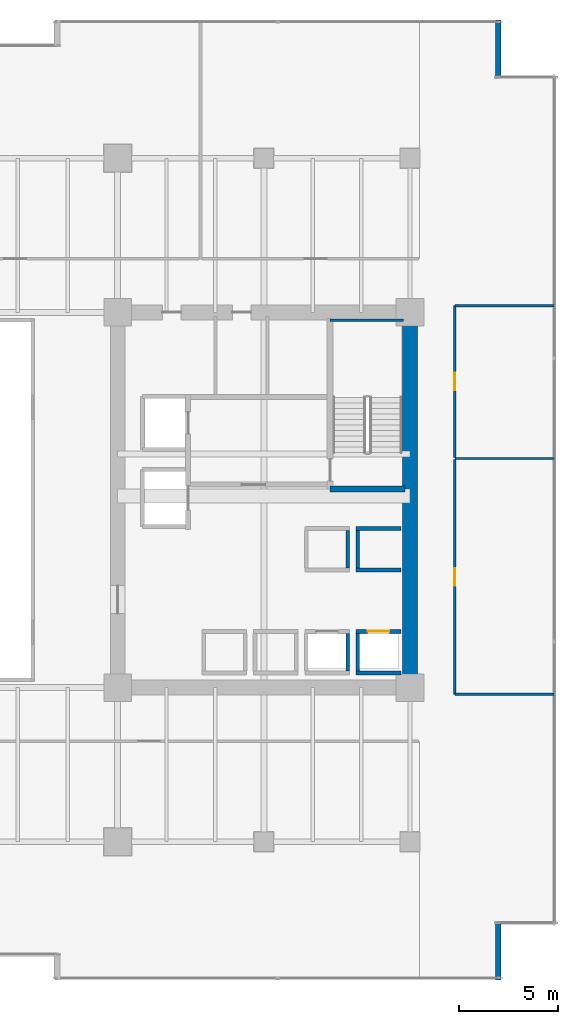
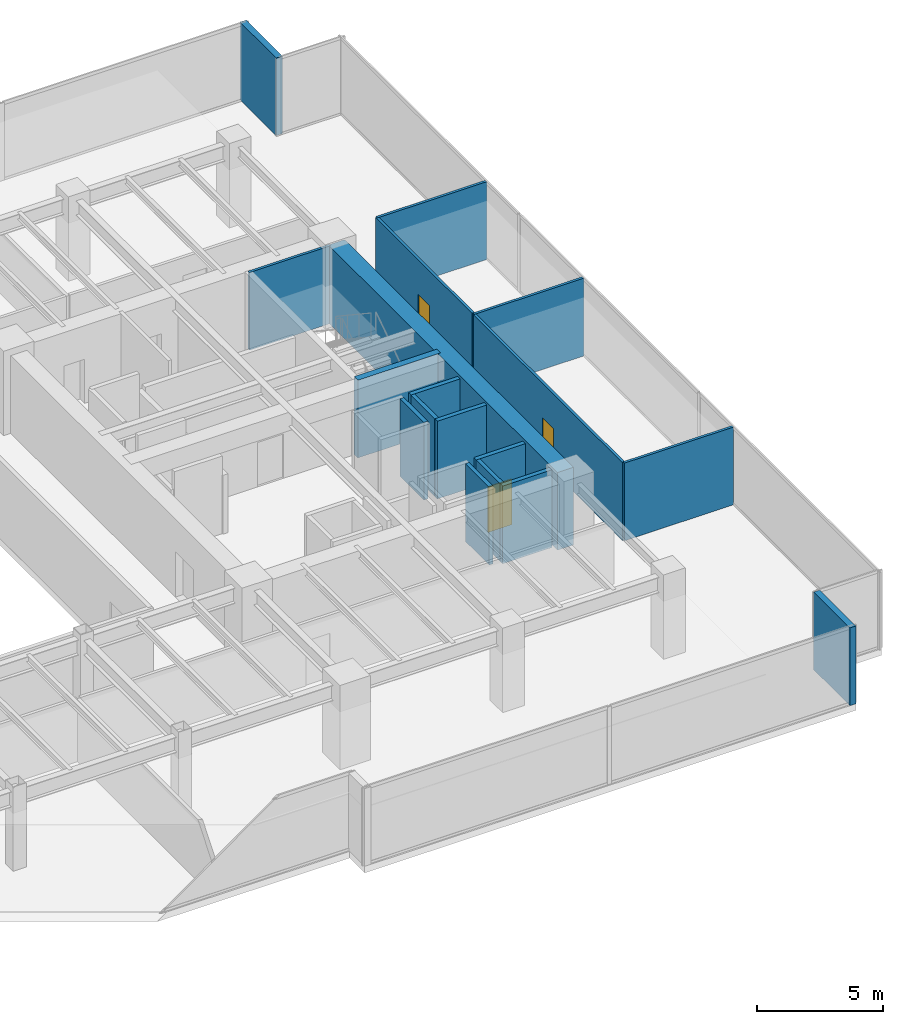
# One storey, part 32 of 36: 18 walls, 3 doors, 3 openings.
"""IFC4 building model written with IfcOpenShell, lengths in metres."""

from ifc_helpers import new_model, si_unit, direction, frame, frame_2d, origin, place, context, subcontext, project, spatial, rectangle, extrude, source, transform, mapped, material, layer, layer_set, type_object, type_shapes, element, fill, save


model = new_model("IFC4")

# Units and contexts
model_context = context("Model", 3, precision=1e-05, world=origin(), true_north=direction((0.0, 1.0)))
body_context = subcontext(model_context, "Body", "Model", "MODEL_VIEW")
ifc_project = project(units=[si_unit("LENGTHUNIT", "METRE"), si_unit("AREAUNIT", "SQUARE_METRE"), si_unit("VOLUMEUNIT", "CUBIC_METRE"), si_unit("PLANEANGLEUNIT", "RADIAN"), si_unit("MASSUNIT", "GRAM", prefix="KILO")], contexts=[model_context])

# Site, building, storey
site_placement = place(None, origin())
site = spatial("IfcSite", under=ifc_project, at=site_placement, CompositionType="ELEMENT")
building_placement = place(site_placement, origin())
building = spatial("IfcBuilding", under=site, at=building_placement, Name="Haelvirn Gate Laboratories", CompositionType="ELEMENT")
storey_placement = place(building_placement, frame((0.0, 0.0, 53.89990234375)))
storey = spatial("IfcBuildingStorey", under=building, at=storey_placement, Name="L13", CompositionType="ELEMENT", Elevation=53.89990234375)

# Walls
ifc_material_1 = material(Name="Thermally-broken bronze aluminium rainscreen & mineral wool", Category="aluminium")
ifc_layer_1 = layer(ifc_material_1, 0.280029296875, Name="EW-TERR-280")
ifc_layer_set_1 = layer_set([ifc_layer_1], Name="Thermally-broken bronze aluminium rainscreen & mineral wool")
wall_type_1 = type_object("IfcWallType", Name="EW-TERR-280", PredefinedType="STANDARD", material=ifc_layer_set_1)
wall_1_placement = place(storey_placement, frame((71.860107421875, 0.0, 0.0), z_axis=(0.0, 0.0, 1.0), x_axis=(0.0, 1.0, 0.0)))
element("IfcWall", 1, at=wall_1_placement, inside=storey, type_object=wall_type_1, Name="L13 Atrium Recess Bronze Return Wall 05", PredefinedType="STANDARD", context=body_context, shape_type="SweptSolid", body=[
    extrude(rectangle(XDim=2.887939453125, YDim=0.280029296875, at=frame_2d((1.44384765625, 0.0))), origin(), (0.0, 0.0, 1.0), 3.780029296875),
])
wall_2_placement = place(storey_placement, frame((71.860107421875, 45.7119140625, 0.0), z_axis=(0.0, 0.0, 1.0), x_axis=(0.0, 1.0, 0.0)))
element("IfcWall", 2, at=wall_2_placement, inside=storey, type_object=wall_type_1, Name="L13 Atrium Recess Bronze Return Wall 09", PredefinedType="STANDARD", context=body_context, shape_type="SweptSolid", body=[
    extrude(rectangle(XDim=2.88818359375, YDim=0.280029296875, at=frame_2d((1.444091796875, 0.0))), origin(), (0.0, 0.0, 1.0), 3.780029296875),
])
ifc_material_2 = material(Name="Lightweight acoustic gypsum board partition", Category="gypsum")
ifc_layer_2 = layer(ifc_material_2, 0.1201171875, Name="IW-PART-120")
ifc_layer_set_2 = layer_set([ifc_layer_2], Name="Lightweight acoustic gypsum board partition")
wall_type_2 = type_object("IfcWallType", Name="IW-PART-120", PredefinedType="PARTITIONING", material=ifc_layer_set_2)
for number, where, z_axis, x_axis, name in (
    (3, (69.669921875, 14.465087890625, 0.0), (0.0, 0.0, 1.0), (1.0, 0.0, 0.0), "L13 Interior Wall IW-L13-ECAP-S"),
    (4, (69.669921875, 34.135009765625, 0.0), (0.0, 0.0, 1.0), (1.0, 0.0, 0.0), "L13 Interior Wall IW-L13-ECAP-N"),
):
    element("IfcWall", number, at=place(storey_placement, frame(where, z_axis=z_axis, x_axis=x_axis)), inside=storey, type_object=wall_type_2, Name=name, PredefinedType="PARTITIONING", context=body_context, shape_type="SweptSolid", body=[
        extrude(rectangle(XDim=5.02001953125, YDim=0.1201171875, at=frame_2d((2.510009765625, 0.0))), origin(), (0.0, 0.0, 1.0), 3.780029296875),
    ])

# Wall, opening, door
wall_3_placement = place(storey_placement, frame((69.669921875, 14.465087890625, 0.0), z_axis=(0.0, 0.0, 1.0), x_axis=(0.0, 1.0, 0.0)))
wall_3 = element("IfcWall", 5, at=wall_3_placement, inside=storey, type_object=wall_type_2, Name="L13 Interior Wall IW-L13-EPASS-01", PredefinedType="PARTITIONING", context=body_context, shape_type="SweptSolid", body=[
    extrude(rectangle(XDim=11.875, YDim=0.1201171875, at=frame_2d((5.9375, 0.0))), origin(), (0.0, 0.0, 1.0), 3.780029296875),
])
opening_1_placement = place(wall_3_placement, frame((5.487548828125, 0.0, 0.0)))
opening_1 = element("IfcOpeningElement", 6, at=opening_1_placement, cuts=wall_3, Name="Opening D4", PredefinedType="OPENING", context=body_context, shape_type="SweptSolid", body=[
    extrude(rectangle(XDim=0.89990234375, YDim=2.10009765625, at=frame_2d((0.449951171875, 1.050048828125))), frame((0.0, 0.070068359375, 0.0), z_axis=(0.0, -1.0, 0.0), x_axis=(1.0, 0.0, 0.0)), (0.0, 0.0, 1.0), 0.14013671875),
])
ifc_material_3 = material(Name="Glazed aluminium-framed write-up door", Category="aluminium")
door_type_1 = type_object("IfcDoorType", Name="DR-OFF-900", OperationType="NOTDEFINED", PredefinedType="DOOR", material=ifc_material_3)
shared_shape_1 = source(origin(), body_context, "Body", "SweptSolid", [
    extrude(rectangle(XDim=0.89990234375, YDim=2.10009765625, at=frame_2d((0.449951171875, 1.050048828125))), frame((0.0, 0.02490234375, 0.0), z_axis=(0.0, -1.0, 0.0), x_axis=(1.0, 0.0, 0.0)), (0.0, 0.0, 1.0), 0.050048828125),
])
type_shapes(door_type_1, [shared_shape_1])
door_1_placement = place(opening_1_placement, origin())
door_1 = element("IfcDoor", 7, at=door_1_placement, inside=storey, type_object=door_type_1, Name="L13 Proteomics Mass-Spec Laboratory Door E1", OperationType="SINGLE_SWING_LEFT", OverallHeight=2.10009765625, OverallWidth=0.89990234375, PredefinedType="DOOR", context=body_context, shape_type="MappedRepresentation", body=[
    mapped(shared_shape_1, transform((0.0, 0.0, 0.0), scale=1.0)),
])
fill(opening_1, door_1)

# Wall
wall_4_placement = place(storey_placement, frame((69.669921875, 26.39990234375, 0.0), z_axis=(0.0, 0.0, 1.0), x_axis=(1.0, 0.0, 0.0)))
element("IfcWall", 8, at=wall_4_placement, inside=storey, type_object=wall_type_2, Name="L13 Interior Wall IW-L13-EDIV-01", PredefinedType="PARTITIONING", context=body_context, shape_type="SweptSolid", body=[
    extrude(rectangle(XDim=5.02001953125, YDim=0.1201171875, at=frame_2d((2.510009765625, 0.0))), origin(), (0.0, 0.0, 1.0), 3.780029296875),
])

# Wall, opening, door
wall_5_placement = place(storey_placement, frame((69.669921875, 26.4599609375, 0.0), z_axis=(0.0, 0.0, 1.0), x_axis=(0.0, 1.0, 0.0)))
wall_5 = element("IfcWall", 9, at=wall_5_placement, inside=storey, type_object=wall_type_2, Name="L13 Interior Wall IW-L13-EPASS-02", PredefinedType="PARTITIONING", context=body_context, shape_type="SweptSolid", body=[
    extrude(rectangle(XDim=7.675048828125, YDim=0.1201171875, at=frame_2d((3.83740234375, 0.0))), origin(), (0.0, 0.0, 1.0), 3.780029296875),
])
opening_2_placement = place(wall_5_placement, frame((3.387451171875, 0.0, 0.0)))
opening_2 = element("IfcOpeningElement", 10, at=opening_2_placement, cuts=wall_5, Name="Opening D4", PredefinedType="OPENING", context=body_context, shape_type="SweptSolid", body=[
    extrude(rectangle(XDim=0.89990234375, YDim=2.10009765625, at=frame_2d((0.449951171875, 1.050048828125))), frame((0.0, 0.070068359375, 0.0), z_axis=(0.0, -1.0, 0.0), x_axis=(1.0, 0.0, 0.0)), (0.0, 0.0, 1.0), 0.14013671875),
])
door_2_placement = place(opening_2_placement, origin())
door_2 = element("IfcDoor", 11, at=door_2_placement, inside=storey, type_object=door_type_1, Name="L13 Chemical Synthesis Laboratory Door E2", OperationType="SINGLE_SWING_RIGHT", OverallHeight=2.10009765625, OverallWidth=0.89990234375, PredefinedType="DOOR", context=body_context, shape_type="MappedRepresentation", body=[
    mapped(shared_shape_1, transform((0.0, 0.0, 0.0), scale=1.0)),
])
fill(opening_2, door_2)

# Walls
ifc_material_4 = material(Name="Concrete C40/50", Category="concrete")
ifc_layer_3 = layer(ifc_material_4, 0.179931640625, Name="IW-SHAFT-180")
ifc_layer_set_3 = layer_set([ifc_layer_3], Name="Concrete C40/50")
wall_type_3 = type_object("IfcWallType", Name="IW-SHAFT-180", PredefinedType="SOLIDWALL", material=ifc_layer_set_3)
for number, where, z_axis, x_axis, name in (
    (12, (64.75, 15.64990234375, 0.0), (0.0, 0.0, 1.0), (0.0, 1.0, 0.0), "L13 Interior Wall IW-L13-PL3-SD"),
    (13, (64.25, 15.64990234375, 0.0), (0.0, 0.0, 1.0), (0.0, 1.0, 0.0), "L13 Interior Wall IW-L13-PL4-SDE"),
):
    element("IfcWall", number, at=place(storey_placement, frame(where, z_axis=z_axis, x_axis=x_axis)), inside=storey, type_object=wall_type_3, Name=name, PredefinedType="SOLIDWALL", context=body_context, shape_type="SweptSolid", body=[
        extrude(rectangle(XDim=1.900146484375, YDim=0.179931640625, at=frame_2d((0.9501953125, 0.0))), origin(), (0.0, 0.0, 1.0), 3.780029296875),
    ])
for number, where, z_axis, x_axis, name in (
    (14, (64.75, 20.85009765625, 0.0), (0.0, 0.0, 1.0), (0.0, 1.0, 0.0), "L13 Interior Wall IW-L13-PL11-SD"),
    (15, (64.25, 20.85009765625, 0.0), (0.0, 0.0, 1.0), (0.0, 1.0, 0.0), "L13 Interior Wall IW-L13-PL12-SDE"),
):
    element("IfcWall", number, at=place(storey_placement, frame(where, z_axis=z_axis, x_axis=x_axis)), inside=storey, type_object=wall_type_3, Name=name, PredefinedType="SOLIDWALL", context=body_context, shape_type="SweptSolid", body=[
        extrude(rectangle(XDim=1.89990234375, YDim=0.179931640625, at=frame_2d((0.949951171875, 0.0))), origin(), (0.0, 0.0, 1.0), 3.780029296875),
    ])

# Wall, opening, door
ifc_layer_4 = layer(ifc_material_4, 0.199951171875, Name="IW-SHAFT-200")
ifc_layer_set_4 = layer_set([ifc_layer_4], Name="Concrete C40/50")
wall_type_4 = type_object("IfcWallType", Name="IW-SHAFT-200", PredefinedType="SOLIDWALL", material=ifc_layer_set_4)
wall_6_placement = place(storey_placement, frame((64.669921875, 17.64990234375, 0.0), z_axis=(0.0, 0.0, 1.0), x_axis=(1.0, 0.0, 0.0)))
wall_6 = element("IfcWall", 16, at=wall_6_placement, inside=storey, type_object=wall_type_4, Name="L13 Interior Wall IW-L13-PL3-FR", PredefinedType="SOLIDWALL", context=body_context, shape_type="SweptSolid", body=[
    extrude(rectangle(XDim=2.260009765625, YDim=0.199951171875, at=frame_2d((1.1298828125, 0.0))), origin(), (0.0, 0.0, 1.0), 3.780029296875),
])
opening_3_placement = place(wall_6_placement, frame((0.580078125, 0.0, 0.0)))
opening_3 = element("IfcOpeningElement", 17, at=opening_3_placement, cuts=wall_6, Name="Opening LD2", PredefinedType="OPENING", context=body_context, shape_type="SweptSolid", body=[
    extrude(rectangle(XDim=1.10009765625, YDim=2.219970703125, at=frame_2d((0.550048828125, 1.10986328125))), frame((0.0, 0.10986328125, 0.0), z_axis=(0.0, -1.0, 0.0), x_axis=(1.0, 0.0, 0.0)), (0.0, 0.0, 1.0), 0.219970703125),
])
ifc_material_5 = material(Name="Bronze stainless 316L sliding lift landing door")
door_type_2 = type_object("IfcDoorType", Name="DR-LD-1100", OperationType="NOTDEFINED", PredefinedType="USERDEFINED", material=ifc_material_5)
shared_shape_2 = source(origin(), body_context, "Body", "SweptSolid", [
    extrude(rectangle(XDim=1.10009765625, YDim=2.219970703125, at=frame_2d((0.550048828125, 1.10986328125))), frame((0.0, 0.02490234375, 0.0), z_axis=(0.0, -1.0, 0.0), x_axis=(1.0, 0.0, 0.0)), (0.0, 0.0, 1.0), 0.050048828125),
])
type_shapes(door_type_2, [shared_shape_2])
door_3_placement = place(opening_3_placement, origin())
door_3 = element("IfcDoor", 18, at=door_3_placement, inside=storey, type_object=door_type_2, Name="L13 Passenger Lift PL3 Landing Door", ObjectType="LANDING_DOOR", OperationType="SLIDING_TO_LEFT", OverallHeight=2.219970703125, OverallWidth=1.10009765625, PredefinedType="USERDEFINED", context=body_context, shape_type="MappedRepresentation", body=[
    mapped(shared_shape_2, transform((0.0, 0.0, 0.0), scale=1.0)),
])
fill(opening_3, door_3)

# Walls
for number, where, z_axis, x_axis, name in (
    (19, (64.669921875, 15.550048828125, 0.0), (0.0, 0.0, 1.0), (1.0, 0.0, 0.0), "L13 Interior Wall IW-L13-PL3-BK"),
    (20, (64.669921875, 20.75, 0.0), (0.0, 0.0, 1.0), (1.0, 0.0, 0.0), "L13 Interior Wall IW-L13-PL11-FR"),
    (21, (64.669921875, 22.85009765625, 0.0), (0.0, 0.0, 1.0), (1.0, 0.0, 0.0), "L13 Interior Wall IW-L13-PL11-BK"),
):
    element("IfcWall", number, at=place(storey_placement, frame(where, z_axis=z_axis, x_axis=x_axis)), inside=storey, type_object=wall_type_4, Name=name, PredefinedType="SOLIDWALL", context=body_context, shape_type="SweptSolid", body=[
        extrude(rectangle(XDim=2.260009765625, YDim=0.199951171875, at=frame_2d((1.1298828125, 0.0))), origin(), (0.0, 0.0, 1.0), 3.780029296875),
    ])
ifc_material_6 = material(Name="Concrete C70/85", Category="concrete")
ifc_layer_5 = layer(ifc_material_6, 0.75, Name="SW-CORE-750")
ifc_layer_set_5 = layer_set([ifc_layer_5], Name="Concrete C70/85")
wall_type_5 = type_object("IfcWallType", Name="SW-CORE-750", PredefinedType="SHEAR", material=ifc_layer_set_5)
wall_7_placement = place(storey_placement, frame((67.39990234375, 15.175048828125, 0.0), z_axis=(0.0, 0.0, 1.0), x_axis=(0.0, 1.0, 0.0)))
element("IfcWall", 22, at=wall_7_placement, inside=storey, type_object=wall_type_5, Name="L13 E Core Shear Wall E", PredefinedType="SHEAR", context=body_context, shape_type="SweptSolid", body=[
    extrude(rectangle(XDim=18.25, YDim=0.75, at=frame_2d((9.125, 0.0))), origin(), (0.0, 0.0, 1.0), 3.780029296875),
])
ifc_material_7 = material(Name="Concrete C50/60", Category="concrete")
ifc_layer_6 = layer(ifc_material_7, 0.1201171875, Name="SW-LINER-120")
ifc_layer_set_6 = layer_set([ifc_layer_6], Name="Concrete C50/60")
wall_type_6 = type_object("IfcWallType", Name="SW-LINER-120", PredefinedType="SOLIDWALL", material=ifc_layer_set_6)
wall_8_placement = place(storey_placement, frame((63.35009765625, 33.39990234375, 0.0), z_axis=(0.0, 0.0, 1.0), x_axis=(1.0, 0.0, 0.0)))
element("IfcWall", 23, at=wall_8_placement, inside=storey, type_object=wall_type_6, Name="L13 E Core Stair Shaft Liner Wall N", PredefinedType="SOLIDWALL", context=body_context, shape_type="SweptSolid", body=[
    extrude(rectangle(XDim=3.719970703125, YDim=0.1201171875, at=frame_2d((1.85986328125, 0.0))), origin(), (0.0, 0.0, 1.0), 3.780029296875),
])
ifc_layer_7 = layer(ifc_material_7, 0.300048828125, Name="SW-STAIR-300")
ifc_layer_set_7 = layer_set([ifc_layer_7], Name="Concrete C50/60")
wall_type_7 = type_object("IfcWallType", Name="SW-STAIR-300", PredefinedType="SHEAR", material=ifc_layer_set_7)
wall_9_placement = place(storey_placement, frame((63.35009765625, 24.85009765625, 0.0), z_axis=(0.0, 0.0, 1.0), x_axis=(1.0, 0.0, 0.0)))
element("IfcWall", 24, at=wall_9_placement, inside=storey, type_object=wall_type_7, Name="L13 E Core Stair Shaft Structural Wall S", PredefinedType="SHEAR", context=body_context, shape_type="SweptSolid", body=[
    extrude(rectangle(XDim=3.7998046875, YDim=0.300048828125, at=frame_2d((1.89990234375, 0.0))), origin(), (0.0, 0.0, 1.0), 3.780029296875),
])

save(model, "model.ifc")
